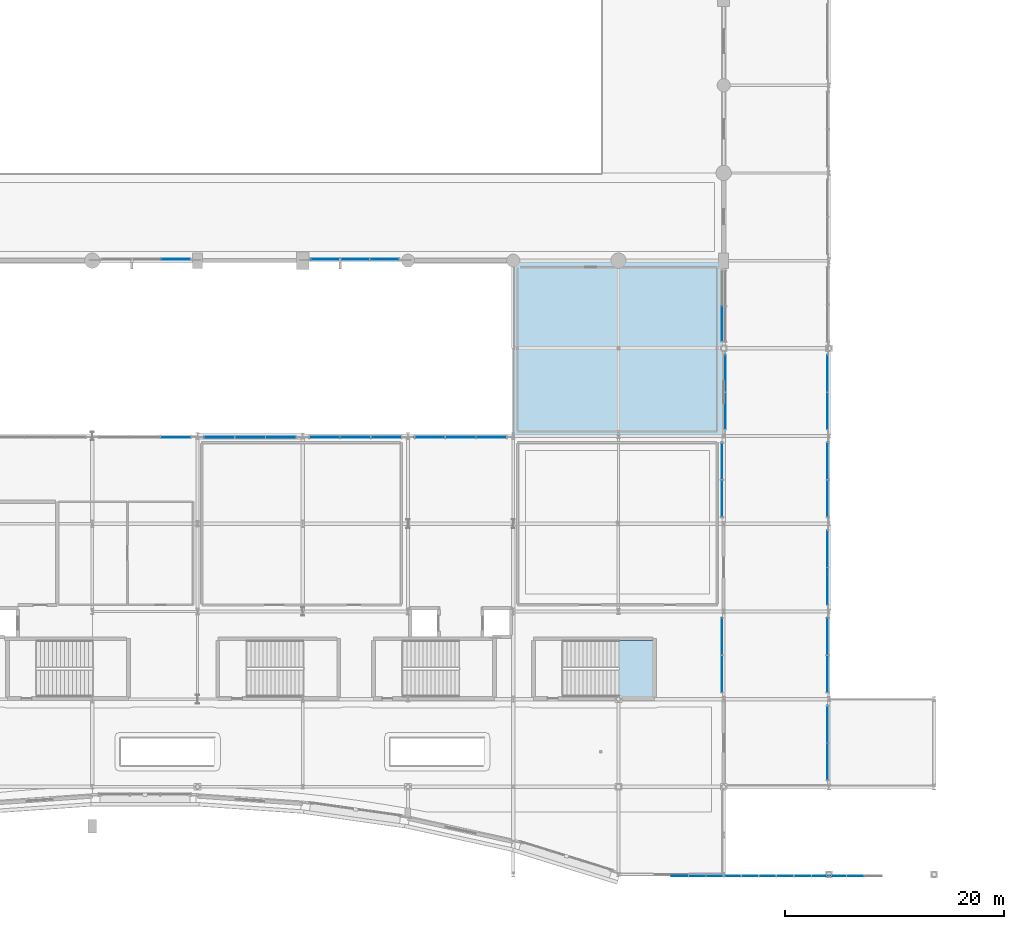
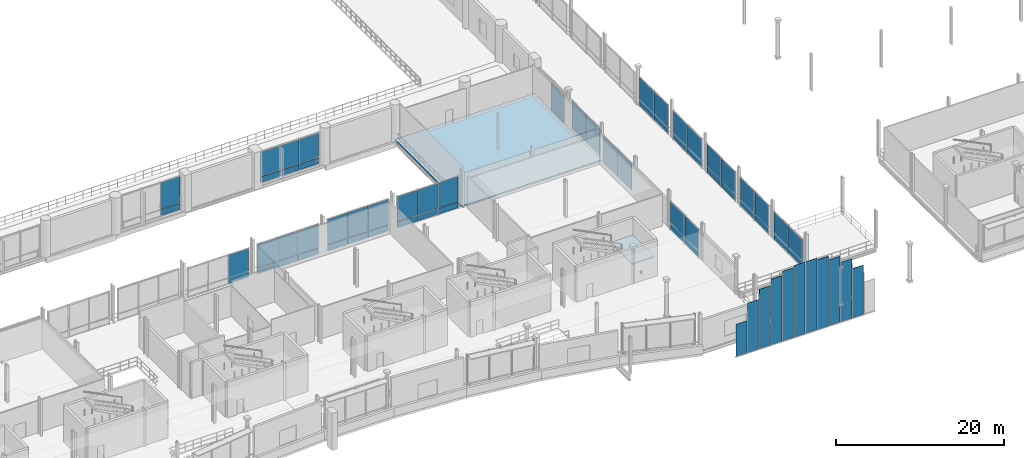
# One storey, part 71 of 129: 55 plates, 2 slabs, 17 elements without a shape of their own.
"""IFC4 building model written with IfcOpenShell, lengths in metres."""

from ifc_helpers import new_model, si_unit, direction, frame, origin, origin_2d, place, context, subcontext, project, spatial, polyline, rectangle, outline, extrude, material, layer, layer_set, type_object, element, aggregate, save


model = new_model("IFC4")

# Units and contexts
model_context = context("Model", 3, precision=1e-05, world=origin(), true_north=direction((0.0, 1.0)))
body_context = subcontext(model_context, "Body", "Model", "MODEL_VIEW")
ifc_project = project(units=[si_unit("LENGTHUNIT", "METRE"), si_unit("AREAUNIT", "SQUARE_METRE"), si_unit("VOLUMEUNIT", "CUBIC_METRE"), si_unit("PLANEANGLEUNIT", "RADIAN"), si_unit("MASSUNIT", "GRAM", prefix="KILO")], contexts=[model_context])

# Site, building, storey
site_placement = place(None, origin())
site = spatial("IfcSite", under=ifc_project, at=site_placement, CompositionType="ELEMENT")
building_placement = place(site_placement, origin())
building = spatial("IfcBuilding", under=site, at=building_placement, Name="Danafjord Basin Convention Centre", CompositionType="ELEMENT")
storey_placement = place(building_placement, frame((0.0, 0.0, 6.0)))
storey = spatial("IfcBuildingStorey", under=building, at=storey_placement, Name="L01", CompositionType="ELEMENT", Elevation=6.0)

# Curtain wall, plates
ifc_material_1 = material(Name="Anodised aluminium and triple glazing", Category="aluminium")
curtain_wall_type_1 = type_object("IfcCurtainWallType", Name="CW-CW-HARB", PredefinedType="NOTDEFINED", material=ifc_material_1)
curtain_wall_1_placement = place(storey_placement, origin())
curtain_wall_1 = element("IfcCurtainWall", 1, at=curtain_wall_1_placement, inside=storey, type_object=curtain_wall_type_1, Name="Main entrance tall semicircular glazed arch curtain wall", PredefinedType="NOTDEFINED")
ifc_material_2 = material(Name="Acoustic triple-glazed low-E unit", Category="glass")
ifc_layer_1 = layer(ifc_material_2, 0.035888671875)
ifc_layer_set_1 = layer_set([ifc_layer_1], Name="Acoustic triple-glazed low-E unit")
plate_type_1 = type_object("IfcPlateType", Name="PLT-ARCH-GL36", PredefinedType="CURTAIN_PANEL", material=ifc_layer_set_1)
plate_1_placement = place(storey_placement, frame((111.199951171875, -0.14990234375, -2.5498046875), z_axis=(0.0, 0.0, 1.0), x_axis=(1.0, 0.0, 0.0)))
plate_1 = element("IfcPlate", 2, at=plate_1_placement, type_object=plate_type_1, Name="Main entrance tall glazed arch panel 1", PredefinedType="CURTAIN_PANEL", context=body_context, shape_type="SweptSolid", body=[
    extrude(rectangle(XDim=1.5, YDim=0.0400390625, at=origin_2d()), origin(), (0.0, 0.0, 1.0), 4.666748046875),
])
plate_2_placement = place(storey_placement, frame((112.800048828125, -0.14990234375, -2.550048828125), z_axis=(0.0, 0.0, 1.0), x_axis=(1.0, 0.0, 0.0)))
plate_2 = element("IfcPlate", 3, at=plate_2_placement, type_object=plate_type_1, Name="Main entrance tall glazed arch panel 2", PredefinedType="CURTAIN_PANEL", context=body_context, shape_type="SweptSolid", body=[
    extrude(rectangle(XDim=1.5, YDim=0.0400390625, at=origin_2d()), origin(), (0.0, 0.0, 1.0), 7.1796875),
])
plate_3_placement = place(storey_placement, frame((114.39990234375, -0.14990234375, -2.550048828125), z_axis=(0.0, 0.0, 1.0), x_axis=(1.0, 0.0, 0.0)))
plate_3 = element("IfcPlate", 4, at=plate_3_placement, type_object=plate_type_1, Name="Main entrance tall glazed arch panel 3", PredefinedType="CURTAIN_PANEL", context=body_context, shape_type="SweptSolid", body=[
    extrude(rectangle(XDim=1.5, YDim=0.0400390625, at=origin_2d()), origin(), (0.0, 0.0, 1.0), 8.62744140625),
])
plate_4_placement = place(storey_placement, frame((116.0, -0.14990234375, -2.5498046875), z_axis=(0.0, 0.0, 1.0), x_axis=(1.0, 0.0, 0.0)))
plate_4 = element("IfcPlate", 5, at=plate_4_placement, type_object=plate_type_1, Name="Main entrance tall glazed arch panel 4", PredefinedType="CURTAIN_PANEL", context=body_context, shape_type="SweptSolid", body=[
    extrude(rectangle(XDim=1.5, YDim=0.0400390625, at=origin_2d()), origin(), (0.0, 0.0, 1.0), 9.556884765625),
])
plate_5_placement = place(storey_placement, frame((117.60009765625, -0.14990234375, -2.5498046875), z_axis=(0.0, 0.0, 1.0), x_axis=(1.0, 0.0, 0.0)))
plate_5 = element("IfcPlate", 6, at=plate_5_placement, type_object=plate_type_1, Name="Main entrance tall glazed arch panel 5", PredefinedType="CURTAIN_PANEL", context=body_context, shape_type="SweptSolid", body=[
    extrude(rectangle(XDim=1.5, YDim=0.0400390625, at=origin_2d()), origin(), (0.0, 0.0, 1.0), 10.125244140625),
])
plate_6_placement = place(storey_placement, frame((119.199951171875, -0.14990234375, -2.550048828125), z_axis=(0.0, 0.0, 1.0), x_axis=(1.0, 0.0, 0.0)))
plate_6 = element("IfcPlate", 7, at=plate_6_placement, type_object=plate_type_1, Name="Main entrance tall glazed arch panel 6", PredefinedType="CURTAIN_PANEL", context=body_context, shape_type="SweptSolid", body=[
    extrude(rectangle(XDim=1.5, YDim=0.0400390625, at=origin_2d()), origin(), (0.0, 0.0, 1.0), 10.396484375),
])
plate_7_placement = place(storey_placement, frame((120.800048828125, -0.14990234375, -2.550048828125), z_axis=(0.0, 0.0, 1.0), x_axis=(1.0, 0.0, 0.0)))
plate_7 = element("IfcPlate", 8, at=plate_7_placement, type_object=plate_type_1, Name="Main entrance tall glazed arch panel 7", PredefinedType="CURTAIN_PANEL", context=body_context, shape_type="SweptSolid", body=[
    extrude(rectangle(XDim=1.5, YDim=0.0400390625, at=origin_2d()), origin(), (0.0, 0.0, 1.0), 10.396484375),
])
plate_8_placement = place(storey_placement, frame((122.39990234375, -0.14990234375, -2.5498046875), z_axis=(0.0, 0.0, 1.0), x_axis=(1.0, 0.0, 0.0)))
plate_8 = element("IfcPlate", 9, at=plate_8_placement, type_object=plate_type_1, Name="Main entrance tall glazed arch panel 8", PredefinedType="CURTAIN_PANEL", context=body_context, shape_type="SweptSolid", body=[
    extrude(rectangle(XDim=1.5, YDim=0.0400390625, at=origin_2d()), origin(), (0.0, 0.0, 1.0), 10.125244140625),
])
plate_9_placement = place(storey_placement, frame((124.0, -0.14990234375, -2.5498046875), z_axis=(0.0, 0.0, 1.0), x_axis=(1.0, 0.0, 0.0)))
plate_9 = element("IfcPlate", 10, at=plate_9_placement, type_object=plate_type_1, Name="Main entrance tall glazed arch panel 9", PredefinedType="CURTAIN_PANEL", context=body_context, shape_type="SweptSolid", body=[
    extrude(rectangle(XDim=1.5, YDim=0.0400390625, at=origin_2d()), origin(), (0.0, 0.0, 1.0), 9.556884765625),
])
plate_10_placement = place(storey_placement, frame((125.60009765625, -0.14990234375, -2.550048828125), z_axis=(0.0, 0.0, 1.0), x_axis=(1.0, 0.0, 0.0)))
plate_10 = element("IfcPlate", 11, at=plate_10_placement, type_object=plate_type_1, Name="Main entrance tall glazed arch panel 10", PredefinedType="CURTAIN_PANEL", context=body_context, shape_type="SweptSolid", body=[
    extrude(rectangle(XDim=1.5, YDim=0.0400390625, at=origin_2d()), origin(), (0.0, 0.0, 1.0), 8.62744140625),
])
plate_11_placement = place(storey_placement, frame((127.199951171875, -0.14990234375, -2.550048828125), z_axis=(0.0, 0.0, 1.0), x_axis=(1.0, 0.0, 0.0)))
plate_11 = element("IfcPlate", 12, at=plate_11_placement, type_object=plate_type_1, Name="Main entrance tall glazed arch panel 11", PredefinedType="CURTAIN_PANEL", context=body_context, shape_type="SweptSolid", body=[
    extrude(rectangle(XDim=1.5, YDim=0.0400390625, at=origin_2d()), origin(), (0.0, 0.0, 1.0), 7.1796875),
])
aggregate(curtain_wall_1, [plate_1, plate_2, plate_3, plate_4, plate_5, plate_6, plate_7, plate_8, plate_9, plate_10, plate_11])

# Curtain wall, plate
curtain_wall_type_2 = type_object("IfcCurtainWallType", Name="CW-CW-HALL", PredefinedType="NOTDEFINED", material=ifc_material_1)
curtain_wall_2_placement = place(storey_placement, origin())
curtain_wall_2 = element("IfcCurtainWall", 13, at=curtain_wall_2_placement, inside=storey, type_object=curtain_wall_type_2, Name="L01 CW-HALL unitised curtain wall bay 6", PredefinedType="NOTDEFINED")
ifc_material_3 = material(Name="Triple low-E insulated glazing", Category="glass")
ifc_layer_2 = layer(ifc_material_3, 0.0380859375)
ifc_layer_set_2 = layer_set([ifc_layer_2], Name="Triple low-E insulated glazing")
plate_type_2 = type_object("IfcPlateType", Name="PLT-GP-38", PredefinedType="CURTAIN_PANEL", material=ifc_layer_set_2)
plate_12_placement = place(storey_placement, frame((65.208251953125, 56.1201171875, 0.97802734375), z_axis=(0.0, 0.0, 1.0), x_axis=(1.0, 0.0, 0.0)))
plate_12 = element("IfcPlate", 14, at=plate_12_placement, type_object=plate_type_2, Name="CW-L01-006 vision glazing unit 3", PredefinedType="CURTAIN_PANEL", context=body_context, shape_type="SweptSolid", body=[
    extrude(rectangle(XDim=2.627197265625, YDim=0.0380859375, at=origin_2d()), origin(), (0.0, 0.0, 1.0), 3.884033203125),
])

# Curtain wall, plates
curtain_wall_3_placement = place(storey_placement, origin())
curtain_wall_3 = element("IfcCurtainWall", 15, at=curtain_wall_3_placement, inside=storey, type_object=curtain_wall_type_2, Name="L01 CW-HALL unitised curtain wall bay 8", PredefinedType="NOTDEFINED")
plate_13_placement = place(storey_placement, frame((78.8916015625, 56.1201171875, 0.97802734375), z_axis=(0.0, 0.0, 1.0), x_axis=(1.0, 0.0, 0.0)))
plate_13 = element("IfcPlate", 16, at=plate_13_placement, type_object=plate_type_2, Name="CW-L01-008 vision glazing unit 1", PredefinedType="CURTAIN_PANEL", context=body_context, shape_type="SweptSolid", body=[
    extrude(rectangle(XDim=2.627197265625, YDim=0.0380859375, at=origin_2d()), origin(), (0.0, 0.0, 1.0), 3.513916015625),
])
plate_14_placement = place(storey_placement, frame((81.574951171875, 56.1201171875, 0.97802734375), z_axis=(0.0, 0.0, 1.0), x_axis=(1.0, 0.0, 0.0)))
plate_14 = element("IfcPlate", 17, at=plate_14_placement, type_object=plate_type_2, Name="CW-L01-008 vision glazing unit 2", PredefinedType="CURTAIN_PANEL", context=body_context, shape_type="SweptSolid", body=[
    extrude(rectangle(XDim=2.627197265625, YDim=0.0380859375, at=origin_2d()), origin(), (0.0, 0.0, 1.0), 3.513916015625),
])
plate_15_placement = place(storey_placement, frame((84.25830078125, 56.1201171875, 0.97802734375), z_axis=(0.0, 0.0, 1.0), x_axis=(1.0, 0.0, 0.0)))
plate_15 = element("IfcPlate", 18, at=plate_15_placement, type_object=plate_type_2, Name="CW-L01-008 vision glazing unit 3", PredefinedType="CURTAIN_PANEL", context=body_context, shape_type="SweptSolid", body=[
    extrude(rectangle(XDim=2.627197265625, YDim=0.0380859375, at=origin_2d()), origin(), (0.0, 0.0, 1.0), 3.513916015625),
])

curtain_wall_type_3 = type_object("IfcCurtainWallType", Name="CW-CW-TERR", PredefinedType="NOTDEFINED", material=ifc_material_1)
curtain_wall_4_placement = place(storey_placement, origin())
curtain_wall_4 = element("IfcCurtainWall", 19, at=curtain_wall_4_placement, inside=storey, type_object=curtain_wall_type_3, Name="L01 CW-TERR unitised curtain wall bay 52", PredefinedType="NOTDEFINED")
plate_16_placement = place(storey_placement, frame((74.800048828125, 39.8798828125, 0.97802734375), z_axis=(0.0, 0.0, 1.0), x_axis=(-1.0, 0.0, 0.0)))
plate_16 = element("IfcPlate", 20, at=plate_16_placement, type_object=plate_type_2, Name="CW-L01-052 vision glazing unit 1", PredefinedType="CURTAIN_PANEL", context=body_context, shape_type="SweptSolid", body=[
    extrude(rectangle(XDim=2.743896484375, YDim=0.0380859375, at=origin_2d()), origin(), (0.0, 0.0, 1.0), 3.4140625),
])
plate_17_placement = place(storey_placement, frame((72.0, 39.8798828125, 0.97802734375), z_axis=(0.0, 0.0, 1.0), x_axis=(-1.0, 0.0, 0.0)))
plate_17 = element("IfcPlate", 21, at=plate_17_placement, type_object=plate_type_2, Name="CW-L01-052 vision glazing unit 2", PredefinedType="CURTAIN_PANEL", context=body_context, shape_type="SweptSolid", body=[
    extrude(rectangle(XDim=2.743896484375, YDim=0.0380859375, at=origin_2d()), origin(), (0.0, 0.0, 1.0), 3.4140625),
])
plate_18_placement = place(storey_placement, frame((69.199951171875, 39.8798828125, 0.97802734375), z_axis=(0.0, 0.0, 1.0), x_axis=(-1.0, 0.0, 0.0)))
plate_18 = element("IfcPlate", 22, at=plate_18_placement, type_object=plate_type_2, Name="CW-L01-052 vision glazing unit 3", PredefinedType="CURTAIN_PANEL", context=body_context, shape_type="SweptSolid", body=[
    extrude(rectangle(XDim=2.743896484375, YDim=0.0380859375, at=origin_2d()), origin(), (0.0, 0.0, 1.0), 3.4140625),
])

curtain_wall_5_placement = place(storey_placement, origin())
curtain_wall_5 = element("IfcCurtainWall", 23, at=curtain_wall_5_placement, inside=storey, type_object=curtain_wall_type_3, Name="L01 CW-TERR unitised curtain wall bay 54", PredefinedType="NOTDEFINED")
plate_19_placement = place(storey_placement, frame((94.0, 39.8798828125, 0.97802734375), z_axis=(0.0, 0.0, 1.0), x_axis=(-1.0, 0.0, 0.0)))
plate_19 = element("IfcPlate", 24, at=plate_19_placement, type_object=plate_type_2, Name="CW-L01-054 vision glazing unit 1", PredefinedType="CURTAIN_PANEL", context=body_context, shape_type="SweptSolid", body=[
    extrude(rectangle(XDim=2.743896484375, YDim=0.0380859375, at=origin_2d()), origin(), (0.0, 0.0, 1.0), 3.614013671875),
])
plate_20_placement = place(storey_placement, frame((91.199951171875, 39.8798828125, 0.97802734375), z_axis=(0.0, 0.0, 1.0), x_axis=(-1.0, 0.0, 0.0)))
plate_20 = element("IfcPlate", 25, at=plate_20_placement, type_object=plate_type_2, Name="CW-L01-054 vision glazing unit 2", PredefinedType="CURTAIN_PANEL", context=body_context, shape_type="SweptSolid", body=[
    extrude(rectangle(XDim=2.743896484375, YDim=0.0380859375, at=origin_2d()), origin(), (0.0, 0.0, 1.0), 3.614013671875),
])
plate_21_placement = place(storey_placement, frame((88.39990234375, 39.8798828125, 0.97802734375), z_axis=(0.0, 0.0, 1.0), x_axis=(-1.0, 0.0, 0.0)))
plate_21 = element("IfcPlate", 26, at=plate_21_placement, type_object=plate_type_2, Name="CW-L01-054 vision glazing unit 3", PredefinedType="CURTAIN_PANEL", context=body_context, shape_type="SweptSolid", body=[
    extrude(rectangle(XDim=2.743896484375, YDim=0.0380859375, at=origin_2d()), origin(), (0.0, 0.0, 1.0), 3.614013671875),
])

curtain_wall_6_placement = place(storey_placement, origin())
curtain_wall_6 = element("IfcCurtainWall", 27, at=curtain_wall_6_placement, inside=storey, type_object=curtain_wall_type_3, Name="L01 CW-TERR unitised curtain wall bay 58", PredefinedType="NOTDEFINED")
plate_22_placement = place(storey_placement, frame((115.050048828125, 18.300048828125, 0.087890625), z_axis=(0.0, 0.0, 1.0), x_axis=(0.0, 1.0, 0.0)))
plate_22 = element("IfcPlate", 28, at=plate_22_placement, type_object=plate_type_2, Name="CW-L01-058 vision glazing unit 1", PredefinedType="CURTAIN_PANEL", context=body_context, shape_type="SweptSolid", body=[
    extrude(rectangle(XDim=3.343994140625, YDim=0.0380859375, at=origin_2d()), origin(), (0.0, 0.0, 1.0), 3.989013671875),
])
plate_23_placement = place(storey_placement, frame((115.050048828125, 21.699951171875, 0.087890625), z_axis=(0.0, 0.0, 1.0), x_axis=(0.0, 1.0, 0.0)))
plate_23 = element("IfcPlate", 29, at=plate_23_placement, type_object=plate_type_2, Name="CW-L01-058 vision glazing unit 2", PredefinedType="CURTAIN_PANEL", context=body_context, shape_type="SweptSolid", body=[
    extrude(rectangle(XDim=3.343994140625, YDim=0.0380859375, at=origin_2d()), origin(), (0.0, 0.0, 1.0), 3.989013671875),
])
aggregate(curtain_wall_6, [plate_22, plate_23])

# Curtain wall, plate
curtain_wall_7_placement = place(storey_placement, origin())
curtain_wall_7 = element("IfcCurtainWall", 30, at=curtain_wall_7_placement, inside=storey, type_object=curtain_wall_type_3, Name="L01 CW-TERR unitised curtain wall bay 60", PredefinedType="NOTDEFINED")
plate_24_placement = place(storey_placement, frame((115.050048828125, 50.22509765625, 0.087890625), z_axis=(0.0, 0.0, 1.0), x_axis=(0.0, 1.0, 0.0)))
plate_24 = element("IfcPlate", 31, at=plate_24_placement, type_object=plate_type_2, Name="CW-L01-060 vision glazing unit 1", PredefinedType="CURTAIN_PANEL", context=body_context, shape_type="SweptSolid", body=[
    extrude(rectangle(XDim=3.194091796875, YDim=0.0380859375, at=origin_2d()), origin(), (0.0, 0.0, 1.0), 4.0390625),
])
aggregate(curtain_wall_7, [plate_24])

# Curtain wall, plates
curtain_wall_type_4 = type_object("IfcCurtainWallType", Name="CW-CW-BRIDGE", PredefinedType="NOTDEFINED", material=ifc_material_1)
curtain_wall_8_placement = place(storey_placement, origin())
curtain_wall_8 = element("IfcCurtainWall", 32, at=curtain_wall_8_placement, inside=storey, type_object=curtain_wall_type_4, Name="L01 CW-BRIDGE unitised curtain wall bay 152", PredefinedType="NOTDEFINED")
plate_25_placement = place(storey_placement, frame((124.679931640625, 10.300048828125, 0.087890625), z_axis=(0.0, 0.0, 1.0), x_axis=(0.0, 1.0, 0.0)))
plate_25 = element("IfcPlate", 33, at=plate_25_placement, type_object=plate_type_2, Name="CW-L01-152 vision glazing unit 1", PredefinedType="CURTAIN_PANEL", context=body_context, shape_type="SweptSolid", body=[
    extrude(rectangle(XDim=3.343994140625, YDim=0.0380859375, at=origin_2d()), origin(), (0.0, 0.0, 1.0), 3.989013671875),
])
plate_26_placement = place(storey_placement, frame((124.679931640625, 13.699951171875, 0.087890625), z_axis=(0.0, 0.0, 1.0), x_axis=(0.0, 1.0, 0.0)))
plate_26 = element("IfcPlate", 34, at=plate_26_placement, type_object=plate_type_2, Name="CW-L01-152 vision glazing unit 2", PredefinedType="CURTAIN_PANEL", context=body_context, shape_type="SweptSolid", body=[
    extrude(rectangle(XDim=3.343994140625, YDim=0.0380859375, at=origin_2d()), origin(), (0.0, 0.0, 1.0), 3.989013671875),
])
aggregate(curtain_wall_8, [plate_25, plate_26])

curtain_wall_9_placement = place(storey_placement, origin())
curtain_wall_9 = element("IfcCurtainWall", 35, at=curtain_wall_9_placement, inside=storey, type_object=curtain_wall_type_4, Name="L01 CW-BRIDGE unitised curtain wall bay 154", PredefinedType="NOTDEFINED")
plate_27_placement = place(storey_placement, frame((124.679931640625, 18.300048828125, 0.087890625), z_axis=(0.0, 0.0, 1.0), x_axis=(0.0, 1.0, 0.0)))
plate_27 = element("IfcPlate", 36, at=plate_27_placement, type_object=plate_type_2, Name="CW-L01-154 vision glazing unit 1", PredefinedType="CURTAIN_PANEL", context=body_context, shape_type="SweptSolid", body=[
    extrude(rectangle(XDim=3.343994140625, YDim=0.0380859375, at=origin_2d()), origin(), (0.0, 0.0, 1.0), 4.089111328125),
])
plate_28_placement = place(storey_placement, frame((124.679931640625, 21.699951171875, 0.087890625), z_axis=(0.0, 0.0, 1.0), x_axis=(0.0, 1.0, 0.0)))
plate_28 = element("IfcPlate", 37, at=plate_28_placement, type_object=plate_type_2, Name="CW-L01-154 vision glazing unit 2", PredefinedType="CURTAIN_PANEL", context=body_context, shape_type="SweptSolid", body=[
    extrude(rectangle(XDim=3.343994140625, YDim=0.0380859375, at=origin_2d()), origin(), (0.0, 0.0, 1.0), 4.089111328125),
])
aggregate(curtain_wall_9, [plate_27, plate_28])

curtain_wall_10_placement = place(storey_placement, origin())
curtain_wall_10 = element("IfcCurtainWall", 38, at=curtain_wall_10_placement, inside=storey, type_object=curtain_wall_type_4, Name="L01 CW-BRIDGE unitised curtain wall bay 156", PredefinedType="NOTDEFINED")
plate_29_placement = place(storey_placement, frame((124.679931640625, 26.300048828125, 0.087890625), z_axis=(0.0, 0.0, 1.0), x_axis=(0.0, 1.0, 0.0)))
plate_29 = element("IfcPlate", 39, at=plate_29_placement, type_object=plate_type_2, Name="CW-L01-156 vision glazing unit 1", PredefinedType="CURTAIN_PANEL", context=body_context, shape_type="SweptSolid", body=[
    extrude(rectangle(XDim=3.343994140625, YDim=0.0380859375, at=origin_2d()), origin(), (0.0, 0.0, 1.0), 4.138916015625),
])
plate_30_placement = place(storey_placement, frame((124.679931640625, 29.699951171875, 0.087890625), z_axis=(0.0, 0.0, 1.0), x_axis=(0.0, 1.0, 0.0)))
plate_30 = element("IfcPlate", 40, at=plate_30_placement, type_object=plate_type_2, Name="CW-L01-156 vision glazing unit 2", PredefinedType="CURTAIN_PANEL", context=body_context, shape_type="SweptSolid", body=[
    extrude(rectangle(XDim=3.343994140625, YDim=0.0380859375, at=origin_2d()), origin(), (0.0, 0.0, 1.0), 4.138916015625),
])
aggregate(curtain_wall_10, [plate_29, plate_30])

curtain_wall_11_placement = place(storey_placement, origin())
curtain_wall_11 = element("IfcCurtainWall", 41, at=curtain_wall_11_placement, inside=storey, type_object=curtain_wall_type_4, Name="L01 CW-BRIDGE unitised curtain wall bay 158", PredefinedType="NOTDEFINED")
plate_31_placement = place(storey_placement, frame((124.679931640625, 34.300048828125, 0.087890625), z_axis=(0.0, 0.0, 1.0), x_axis=(0.0, 1.0, 0.0)))
plate_31 = element("IfcPlate", 42, at=plate_31_placement, type_object=plate_type_2, Name="CW-L01-158 vision glazing unit 1", PredefinedType="CURTAIN_PANEL", context=body_context, shape_type="SweptSolid", body=[
    extrude(rectangle(XDim=3.343994140625, YDim=0.0380859375, at=origin_2d()), origin(), (0.0, 0.0, 1.0), 4.089111328125),
])
plate_32_placement = place(storey_placement, frame((124.679931640625, 37.699951171875, 0.087890625), z_axis=(0.0, 0.0, 1.0), x_axis=(0.0, 1.0, 0.0)))
plate_32 = element("IfcPlate", 43, at=plate_32_placement, type_object=plate_type_2, Name="CW-L01-158 vision glazing unit 2", PredefinedType="CURTAIN_PANEL", context=body_context, shape_type="SweptSolid", body=[
    extrude(rectangle(XDim=3.343994140625, YDim=0.0380859375, at=origin_2d()), origin(), (0.0, 0.0, 1.0), 4.089111328125),
])
aggregate(curtain_wall_11, [plate_31, plate_32])

curtain_wall_12_placement = place(storey_placement, origin())
curtain_wall_12 = element("IfcCurtainWall", 44, at=curtain_wall_12_placement, inside=storey, type_object=curtain_wall_type_4, Name="L01 CW-BRIDGE unitised curtain wall bay 160", PredefinedType="NOTDEFINED")
plate_33_placement = place(storey_placement, frame((124.679931640625, 42.300048828125, 0.087890625), z_axis=(0.0, 0.0, 1.0), x_axis=(0.0, 1.0, 0.0)))
plate_33 = element("IfcPlate", 45, at=plate_33_placement, type_object=plate_type_2, Name="CW-L01-160 vision glazing unit 1", PredefinedType="CURTAIN_PANEL", context=body_context, shape_type="SweptSolid", body=[
    extrude(rectangle(XDim=3.343994140625, YDim=0.0380859375, at=origin_2d()), origin(), (0.0, 0.0, 1.0), 4.138916015625),
])
plate_34_placement = place(storey_placement, frame((124.679931640625, 45.699951171875, 0.087890625), z_axis=(0.0, 0.0, 1.0), x_axis=(0.0, 1.0, 0.0)))
plate_34 = element("IfcPlate", 46, at=plate_34_placement, type_object=plate_type_2, Name="CW-L01-160 vision glazing unit 2", PredefinedType="CURTAIN_PANEL", context=body_context, shape_type="SweptSolid", body=[
    extrude(rectangle(XDim=3.343994140625, YDim=0.0380859375, at=origin_2d()), origin(), (0.0, 0.0, 1.0), 4.138916015625),
])
aggregate(curtain_wall_12, [plate_33, plate_34])

# Curtain wall, plate
curtain_wall_13_placement = place(storey_placement, origin())
curtain_wall_13 = element("IfcCurtainWall", 47, at=curtain_wall_13_placement, inside=storey, type_object=curtain_wall_type_3, Name="L01 CW-TERR unitised curtain wall bay 51", PredefinedType="NOTDEFINED")
ifc_layer_3 = layer(ifc_material_3, 0.048095703125)
ifc_layer_set_3 = layer_set([ifc_layer_3], Name="Triple low-E insulated glazing")
plate_type_3 = type_object("IfcPlateType", Name="PLT-GP-48", PredefinedType="CURTAIN_PANEL", material=ifc_layer_set_3)
plate_35_placement = place(storey_placement, frame((65.199951171875, 39.8798828125, 0.087890625), z_axis=(0.0, 0.0, 1.0), x_axis=(-1.0, 0.0, 0.0)))
plate_35 = element("IfcPlate", 48, at=plate_35_placement, type_object=plate_type_3, Name="CW-L01-051 vision glazing unit 1", PredefinedType="CURTAIN_PANEL", context=body_context, shape_type="SweptSolid", body=[
    extrude(rectangle(XDim=2.743896484375, YDim=0.048095703125, at=origin_2d()), origin(), (0.0, 0.0, 1.0), 4.154052734375),
])
aggregate(curtain_wall_13, [plate_35])

# Curtain wall, plates
curtain_wall_14_placement = place(storey_placement, origin())
curtain_wall_14 = element("IfcCurtainWall", 49, at=curtain_wall_14_placement, inside=storey, type_object=curtain_wall_type_3, Name="L01 CW-TERR unitised curtain wall bay 53", PredefinedType="NOTDEFINED")
plate_36_placement = place(storey_placement, frame((84.39990234375, 39.8798828125, 0.97802734375), z_axis=(0.0, 0.0, 1.0), x_axis=(-1.0, 0.0, 0.0)))
plate_36 = element("IfcPlate", 50, at=plate_36_placement, type_object=plate_type_3, Name="CW-L01-053 vision glazing unit 1", PredefinedType="CURTAIN_PANEL", context=body_context, shape_type="SweptSolid", body=[
    extrude(rectangle(XDim=2.743896484375, YDim=0.048095703125, at=origin_2d()), origin(), (0.0, 0.0, 1.0), 3.6640625),
])
plate_37_placement = place(storey_placement, frame((81.60009765625, 39.8798828125, 0.97802734375), z_axis=(0.0, 0.0, 1.0), x_axis=(-1.0, 0.0, 0.0)))
plate_37 = element("IfcPlate", 51, at=plate_37_placement, type_object=plate_type_3, Name="CW-L01-053 vision glazing unit 2", PredefinedType="CURTAIN_PANEL", context=body_context, shape_type="SweptSolid", body=[
    extrude(rectangle(XDim=2.743896484375, YDim=0.048095703125, at=origin_2d()), origin(), (0.0, 0.0, 1.0), 3.6640625),
])
plate_38_placement = place(storey_placement, frame((78.800048828125, 39.8798828125, 0.97802734375), z_axis=(0.0, 0.0, 1.0), x_axis=(-1.0, 0.0, 0.0)))
plate_38 = element("IfcPlate", 52, at=plate_38_placement, type_object=plate_type_3, Name="CW-L01-053 vision glazing unit 3", PredefinedType="CURTAIN_PANEL", context=body_context, shape_type="SweptSolid", body=[
    extrude(rectangle(XDim=2.743896484375, YDim=0.048095703125, at=origin_2d()), origin(), (0.0, 0.0, 1.0), 3.6640625),
])

curtain_wall_15_placement = place(storey_placement, origin())
curtain_wall_15 = element("IfcCurtainWall", 53, at=curtain_wall_15_placement, inside=storey, type_object=curtain_wall_type_3, Name="L01 CW-TERR unitised curtain wall bay 59", PredefinedType="NOTDEFINED")
plate_39_placement = place(storey_placement, frame((115.050048828125, 34.300048828125, 0.087890625), z_axis=(0.0, 0.0, 1.0), x_axis=(0.0, 1.0, 0.0)))
plate_39 = element("IfcPlate", 54, at=plate_39_placement, type_object=plate_type_3, Name="CW-L01-059 vision glazing unit 1", PredefinedType="CURTAIN_PANEL", context=body_context, shape_type="SweptSolid", body=[
    extrude(rectangle(XDim=3.343994140625, YDim=0.048095703125, at=origin_2d()), origin(), (0.0, 0.0, 1.0), 3.839111328125),
])
plate_40_placement = place(storey_placement, frame((115.050048828125, 37.699951171875, 0.087890625), z_axis=(0.0, 0.0, 1.0), x_axis=(0.0, 1.0, 0.0)))
plate_40 = element("IfcPlate", 55, at=plate_40_placement, type_object=plate_type_3, Name="CW-L01-059 vision glazing unit 2", PredefinedType="CURTAIN_PANEL", context=body_context, shape_type="SweptSolid", body=[
    extrude(rectangle(XDim=3.343994140625, YDim=0.048095703125, at=origin_2d()), origin(), (0.0, 0.0, 1.0), 3.839111328125),
])
aggregate(curtain_wall_15, [plate_39, plate_40])

curtain_wall_16_placement = place(storey_placement, origin())
curtain_wall_16 = element("IfcCurtainWall", 56, at=curtain_wall_16_placement, inside=storey, type_object=curtain_wall_type_4, Name="L01 CW-BRIDGE unitised curtain wall bay 161", PredefinedType="NOTDEFINED")
plate_41_placement = place(storey_placement, frame((115.35009765625, 45.699951171875, 0.088134765625), z_axis=(0.0, 0.0, 1.0), x_axis=(0.0, -1.0, 0.0)))
plate_41 = element("IfcPlate", 57, at=plate_41_placement, type_object=plate_type_3, Name="CW-L01-161 vision glazing unit 1", PredefinedType="CURTAIN_PANEL", context=body_context, shape_type="SweptSolid", body=[
    extrude(rectangle(XDim=3.343994140625, YDim=0.048095703125, at=origin_2d()), origin(), (0.0, 0.0, 1.0), 3.93896484375),
])
plate_42_placement = place(storey_placement, frame((115.35009765625, 42.300048828125, 0.088134765625), z_axis=(0.0, 0.0, 1.0), x_axis=(0.0, -1.0, 0.0)))
plate_42 = element("IfcPlate", 58, at=plate_42_placement, type_object=plate_type_3, Name="CW-L01-161 vision glazing unit 2", PredefinedType="CURTAIN_PANEL", context=body_context, shape_type="SweptSolid", body=[
    extrude(rectangle(XDim=3.343994140625, YDim=0.048095703125, at=origin_2d()), origin(), (0.0, 0.0, 1.0), 3.93896484375),
])
aggregate(curtain_wall_16, [plate_41, plate_42])

# Plate
ifc_material_4 = material(Name="Insulated aluminium spandrel cassette", Category="aluminium")
ifc_layer_4 = layer(ifc_material_4, 0.070068359375)
ifc_layer_set_4 = layer_set([ifc_layer_4], Name="Insulated aluminium spandrel cassette")
plate_type_4 = type_object("IfcPlateType", Name="PLT-SPN-70", PredefinedType="CURTAIN_PANEL", material=ifc_layer_set_4)
plate_43_placement = place(storey_placement, frame((65.208251953125, 56.1201171875, 0.087890625), z_axis=(0.0, 0.0, 1.0), x_axis=(1.0, 0.0, 0.0)))
plate_43 = element("IfcPlate", 59, at=plate_43_placement, type_object=plate_type_4, Name="CW-L01-006 spandrel cassette 3", PredefinedType="CURTAIN_PANEL", context=body_context, shape_type="SweptSolid", body=[
    extrude(rectangle(XDim=2.627197265625, YDim=0.070068359375, at=origin_2d()), origin(), (0.0, 0.0, 1.0), 0.833984375),
])

aggregate(curtain_wall_2, [plate_43, plate_12])

plate_44_placement = place(storey_placement, frame((78.8916015625, 56.1201171875, 0.087890625), z_axis=(0.0, 0.0, 1.0), x_axis=(1.0, 0.0, 0.0)))
plate_44 = element("IfcPlate", 60, at=plate_44_placement, type_object=plate_type_4, Name="CW-L01-008 spandrel cassette 1", PredefinedType="CURTAIN_PANEL", context=body_context, shape_type="SweptSolid", body=[
    extrude(rectangle(XDim=2.627197265625, YDim=0.070068359375, at=origin_2d()), origin(), (0.0, 0.0, 1.0), 0.833984375),
])

plate_45_placement = place(storey_placement, frame((81.574951171875, 56.1201171875, 0.087890625), z_axis=(0.0, 0.0, 1.0), x_axis=(1.0, 0.0, 0.0)))
plate_45 = element("IfcPlate", 61, at=plate_45_placement, type_object=plate_type_4, Name="CW-L01-008 spandrel cassette 2", PredefinedType="CURTAIN_PANEL", context=body_context, shape_type="SweptSolid", body=[
    extrude(rectangle(XDim=2.627197265625, YDim=0.070068359375, at=origin_2d()), origin(), (0.0, 0.0, 1.0), 0.833984375),
])

plate_46_placement = place(storey_placement, frame((84.25830078125, 56.1201171875, 0.087890625), z_axis=(0.0, 0.0, 1.0), x_axis=(1.0, 0.0, 0.0)))
plate_46 = element("IfcPlate", 62, at=plate_46_placement, type_object=plate_type_4, Name="CW-L01-008 spandrel cassette 3", PredefinedType="CURTAIN_PANEL", context=body_context, shape_type="SweptSolid", body=[
    extrude(rectangle(XDim=2.627197265625, YDim=0.070068359375, at=origin_2d()), origin(), (0.0, 0.0, 1.0), 0.833984375),
])

aggregate(curtain_wall_3, [plate_44, plate_13, plate_45, plate_14, plate_46, plate_15])

plate_47_placement = place(storey_placement, frame((74.800048828125, 39.8798828125, 0.087890625), z_axis=(0.0, 0.0, 1.0), x_axis=(-1.0, 0.0, 0.0)))
plate_47 = element("IfcPlate", 63, at=plate_47_placement, type_object=plate_type_4, Name="CW-L01-052 spandrel cassette 1", PredefinedType="CURTAIN_PANEL", context=body_context, shape_type="SweptSolid", body=[
    extrude(rectangle(XDim=2.743896484375, YDim=0.070068359375, at=origin_2d()), origin(), (0.0, 0.0, 1.0), 0.833984375),
])

plate_48_placement = place(storey_placement, frame((72.0, 39.8798828125, 0.087890625), z_axis=(0.0, 0.0, 1.0), x_axis=(-1.0, 0.0, 0.0)))
plate_48 = element("IfcPlate", 64, at=plate_48_placement, type_object=plate_type_4, Name="CW-L01-052 spandrel cassette 2", PredefinedType="CURTAIN_PANEL", context=body_context, shape_type="SweptSolid", body=[
    extrude(rectangle(XDim=2.743896484375, YDim=0.070068359375, at=origin_2d()), origin(), (0.0, 0.0, 1.0), 0.833984375),
])

plate_49_placement = place(storey_placement, frame((69.199951171875, 39.8798828125, 0.087890625), z_axis=(0.0, 0.0, 1.0), x_axis=(-1.0, 0.0, 0.0)))
plate_49 = element("IfcPlate", 65, at=plate_49_placement, type_object=plate_type_4, Name="CW-L01-052 spandrel cassette 3", PredefinedType="CURTAIN_PANEL", context=body_context, shape_type="SweptSolid", body=[
    extrude(rectangle(XDim=2.743896484375, YDim=0.070068359375, at=origin_2d()), origin(), (0.0, 0.0, 1.0), 0.833984375),
])

aggregate(curtain_wall_4, [plate_47, plate_16, plate_48, plate_17, plate_49, plate_18])

plate_50_placement = place(storey_placement, frame((94.0, 39.8798828125, 0.087890625), z_axis=(0.0, 0.0, 1.0), x_axis=(-1.0, 0.0, 0.0)))
plate_50 = element("IfcPlate", 66, at=plate_50_placement, type_object=plate_type_4, Name="CW-L01-054 spandrel cassette 1", PredefinedType="CURTAIN_PANEL", context=body_context, shape_type="SweptSolid", body=[
    extrude(rectangle(XDim=2.743896484375, YDim=0.070068359375, at=origin_2d()), origin(), (0.0, 0.0, 1.0), 0.833984375),
])

plate_51_placement = place(storey_placement, frame((91.199951171875, 39.8798828125, 0.087890625), z_axis=(0.0, 0.0, 1.0), x_axis=(-1.0, 0.0, 0.0)))
plate_51 = element("IfcPlate", 67, at=plate_51_placement, type_object=plate_type_4, Name="CW-L01-054 spandrel cassette 2", PredefinedType="CURTAIN_PANEL", context=body_context, shape_type="SweptSolid", body=[
    extrude(rectangle(XDim=2.743896484375, YDim=0.070068359375, at=origin_2d()), origin(), (0.0, 0.0, 1.0), 0.833984375),
])

plate_52_placement = place(storey_placement, frame((88.39990234375, 39.8798828125, 0.087890625), z_axis=(0.0, 0.0, 1.0), x_axis=(-1.0, 0.0, 0.0)))
plate_52 = element("IfcPlate", 68, at=plate_52_placement, type_object=plate_type_4, Name="CW-L01-054 spandrel cassette 3", PredefinedType="CURTAIN_PANEL", context=body_context, shape_type="SweptSolid", body=[
    extrude(rectangle(XDim=2.743896484375, YDim=0.070068359375, at=origin_2d()), origin(), (0.0, 0.0, 1.0), 0.833984375),
])

aggregate(curtain_wall_5, [plate_50, plate_19, plate_51, plate_20, plate_52, plate_21])

ifc_layer_5 = layer(ifc_material_4, 0.090087890625)
ifc_layer_set_5 = layer_set([ifc_layer_5], Name="Insulated aluminium spandrel cassette")
plate_type_5 = type_object("IfcPlateType", Name="PLT-SPN-90", PredefinedType="CURTAIN_PANEL", material=ifc_layer_set_5)
plate_53_placement = place(storey_placement, frame((84.39990234375, 39.8798828125, 0.087890625), z_axis=(0.0, 0.0, 1.0), x_axis=(-1.0, 0.0, 0.0)))
plate_53 = element("IfcPlate", 69, at=plate_53_placement, type_object=plate_type_5, Name="CW-L01-053 spandrel cassette 1", PredefinedType="CURTAIN_PANEL", context=body_context, shape_type="SweptSolid", body=[
    extrude(rectangle(XDim=2.743896484375, YDim=0.090087890625, at=origin_2d()), origin(), (0.0, 0.0, 1.0), 0.833984375),
])

plate_54_placement = place(storey_placement, frame((81.60009765625, 39.8798828125, 0.087890625), z_axis=(0.0, 0.0, 1.0), x_axis=(-1.0, 0.0, 0.0)))
plate_54 = element("IfcPlate", 70, at=plate_54_placement, type_object=plate_type_5, Name="CW-L01-053 spandrel cassette 2", PredefinedType="CURTAIN_PANEL", context=body_context, shape_type="SweptSolid", body=[
    extrude(rectangle(XDim=2.743896484375, YDim=0.090087890625, at=origin_2d()), origin(), (0.0, 0.0, 1.0), 0.833984375),
])

plate_55_placement = place(storey_placement, frame((78.800048828125, 39.8798828125, 0.087890625), z_axis=(0.0, 0.0, 1.0), x_axis=(-1.0, 0.0, 0.0)))
plate_55 = element("IfcPlate", 71, at=plate_55_placement, type_object=plate_type_5, Name="CW-L01-053 spandrel cassette 3", PredefinedType="CURTAIN_PANEL", context=body_context, shape_type="SweptSolid", body=[
    extrude(rectangle(XDim=2.743896484375, YDim=0.090087890625, at=origin_2d()), origin(), (0.0, 0.0, 1.0), 0.833984375),
])

aggregate(curtain_wall_14, [plate_53, plate_36, plate_54, plate_37, plate_55, plate_38])

# Slab
ifc_material_5 = material(Name="Concrete C35/45", Category="concrete")
ifc_layer_6 = layer(ifc_material_5, 0.22998046875)
ifc_layer_set_6 = layer_set([ifc_layer_6], Name="Concrete C35/45")
slab_type_1 = type_object("IfcSlabType", Name="SLAB-FS-230", PredefinedType="FLOOR", material=ifc_layer_set_6)
slab_1_placement = place(storey_placement, frame((0.0, 0.0, -0.22998046875)))
element("IfcSlab", 72, at=slab_1_placement, inside=storey, type_object=slab_type_1, Name="L01 FS-230 slab SL-L01-V4LE", PredefinedType="FLOOR", context=body_context, shape_type="SweptSolid", body=[
    extrude(outline(polyline([(96.0, 40.0), (96.0, 56.0), (115.14990234375, 56.0), (115.14990234375, 40.0), (96.0, 40.0)])), origin(), (0.0, 0.0, 1.0), 0.22998046875),
])

# Stair, slab
ifc_material_6 = material(Name="Concrete C40/50", Category="concrete")
stair_type = type_object("IfcStairType", Name="STAIR-STR-C01", PredefinedType="TWO_STRAIGHT_RUN_STAIR", material=ifc_material_6)
stair_placement = place(storey_placement, origin())
stair = element("IfcStair", 73, at=stair_placement, inside=storey, type_object=stair_type, Name="L01 East Harbour Escape Stair 2", PredefinedType="HALF_TURN_STAIR")
ifc_layer_7 = layer(ifc_material_6, 0.199951171875)
ifc_layer_set_7 = layer_set([ifc_layer_7], Name="Concrete C40/50")
slab_type_2 = type_object("IfcSlabType", Name="SLAB-LAND-200", PredefinedType="LANDING", material=ifc_layer_set_7)
slab_2_placement = place(storey_placement, frame((0.0, 0.0, 2.5)))
slab_2 = element("IfcSlab", 74, at=slab_2_placement, type_object=slab_type_2, Name="ST-04 landing 1", PredefinedType="LANDING", context=body_context, shape_type="SweptSolid", body=[
    extrude(outline(polyline([(105.639892578125, 16.2099609375), (108.72998046875, 16.2099609375), (108.72998046875, 21.35009765625), (105.639892578125, 21.35009765625), (105.639892578125, 16.2099609375)])), origin(), (0.0, 0.0, 1.0), 0.199951171875),
])
aggregate(stair, [slab_2])

save(model, "model.ifc")
